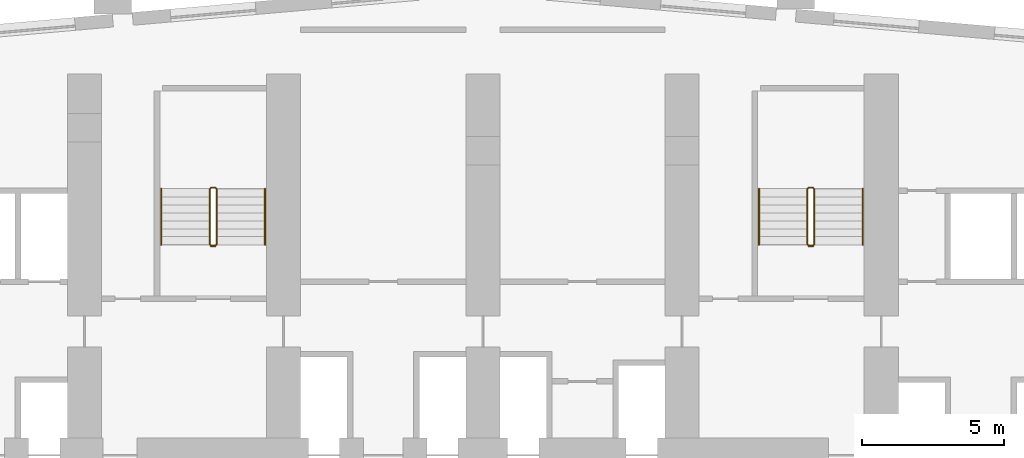
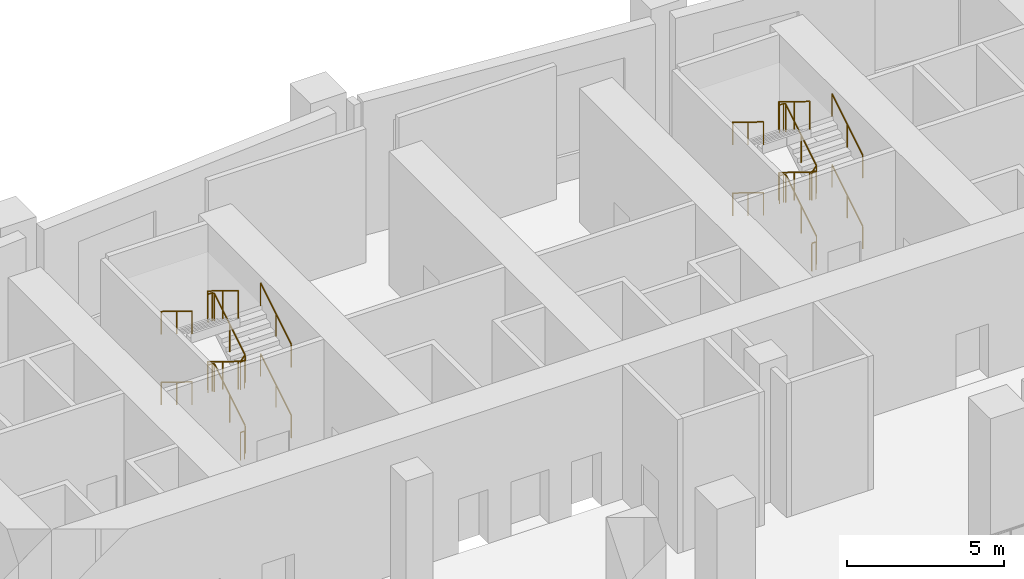
# One storey, part 24 of 25: 12 railings.
"""IFC4 building model written with IfcOpenShell, lengths in metres."""

from ifc_helpers import new_model, si_unit, direction, frame, origin, origin_2d, place, context, subcontext, project, spatial, circle, extrude, material, type_object, element, save


model = new_model("IFC4")

# Units and contexts
model_context = context("Model", 3, precision=1e-05, world=origin(), true_north=direction((0.0, 1.0)))
body_context = subcontext(model_context, "Body", "Model", "MODEL_VIEW")
ifc_project = project(units=[si_unit("LENGTHUNIT", "METRE"), si_unit("AREAUNIT", "SQUARE_METRE"), si_unit("VOLUMEUNIT", "CUBIC_METRE"), si_unit("PLANEANGLEUNIT", "RADIAN"), si_unit("MASSUNIT", "GRAM", prefix="KILO")], contexts=[model_context])

# Site, building, storey
site_placement = place(None, origin())
site = spatial("IfcSite", under=ifc_project, at=site_placement, CompositionType="ELEMENT")
building_placement = place(site_placement, origin())
building = spatial("IfcBuilding", under=site, at=building_placement, Name="Wharfspan Tower", CompositionType="ELEMENT")
storey_placement = place(building_placement, frame((0.0, 0.0, 27.5)))
storey = spatial("IfcBuildingStorey", under=building, at=storey_placement, Name="L04", CompositionType="ELEMENT", Elevation=27.5)

# Railings
ifc_material = material(Name="Steel S355J2", Category="steel")
railing_type_1 = type_object("IfcRailingType", Name="Stair guard 1100", PredefinedType="GUARDRAIL", material=ifc_material)
railing_1_placement = place(storey_placement, frame((27.649902, 42.0, 0.171875)))
element("IfcRailing", 1, at=railing_1_placement, inside=storey, type_object=railing_type_1, Name="L04 ST1 stair guard 1", PredefinedType="GUARDRAIL", context=body_context, shape_type="SweptSolid", body=[
    extrude(circle(Radius=0.023926, at=origin_2d()), frame((0.0, 0.0, 1.076172), z_axis=(0.0, 0.852241, 0.523149), x_axis=(-1.0, 0.0, 0.0)), (0.0, 0.0, 1.0), 2.299805),
    extrude(circle(Radius=0.023926, at=origin_2d()), frame((0.0, 1.959961, 2.279297), z_axis=(-0.705376, 0.708834, 0.0), x_axis=(-0.708834, -0.705376, 0.0)), (0.0, 0.0, 1.0), 0.070557),
    extrude(circle(Radius=0.023926, at=origin_2d()), frame((-0.049805, 2.01001, 2.279297), z_axis=(-1.0, 0.0, 0.0), x_axis=(0.0, -1.0, 0.0)), (0.0, 0.0, 1.0), 0.150146),
    extrude(circle(Radius=0.023926, at=origin_2d()), frame((-0.199951, 2.01001, 2.279297), z_axis=(-0.269256, -0.269256, 0.924664), x_axis=(0.707107, -0.707107, 0.0)), (0.0, 0.0, 1.0), 0.185791),
    extrude(circle(Radius=0.023926, at=origin_2d()), frame((-0.25, 1.959961, 2.451172), z_axis=(0.0, -0.852241, 0.523149), x_axis=(1.0, 0.0, 0.0)), (0.0, 0.0, 1.0), 2.299805),
    extrude(circle(Radius=0.023926, at=origin_2d()), frame((-0.25, 0.0, 3.654297), z_axis=(0.970143, -0.242536, 0.0), x_axis=(0.242536, 0.970143, 0.0)), (0.0, 0.0, 1.0), 0.206299),
    extrude(circle(Radius=0.023926, at=origin_2d()), frame((-0.049805, -0.050049, 3.654297), z_axis=(-1.0, 0.0, 0.0), x_axis=(0.0, -1.0, 0.0)), (0.0, 0.0, 1.0), 0.150146),
    extrude(circle(Radius=0.023926, at=origin_2d()), frame((-0.199951, -0.050049, 3.654297), z_axis=(0.745038, 0.186487, 0.640423), x_axis=(-0.242813, 0.970074, -2e-06)), (0.0, 0.0, 1.0), 0.268311),
    extrude(circle(Radius=0.023926, at=origin_2d()), frame((0.0, 0.0, 3.826172), z_axis=(0.0, 0.852241, 0.523149), x_axis=(-1.0, 0.0, 0.0)), (0.0, 0.0, 1.0), 2.299805),
    extrude(circle(Radius=0.023926, at=origin_2d()), frame((0.0, 1.959961, 5.029297), z_axis=(-0.705376, 0.708834, 0.0), x_axis=(-0.708834, -0.705376, 0.0)), (0.0, 0.0, 1.0), 0.070557),
    extrude(circle(Radius=0.023926, at=origin_2d()), frame((-0.049805, 2.01001, 5.029297), z_axis=(-1.0, 0.0, 0.0), x_axis=(0.0, -1.0, 0.0)), (0.0, 0.0, 1.0), 0.150146),
    extrude(circle(Radius=0.023926, at=origin_2d()), frame((-0.199951, 2.01001, 5.029297), z_axis=(-0.269256, -0.269256, 0.924664), x_axis=(0.707107, -0.707107, 0.0)), (0.0, 0.0, 1.0), 0.185791),
    extrude(circle(Radius=0.023926, at=origin_2d()), frame((-0.25, 1.959961, 5.201172), z_axis=(0.0, -0.852241, 0.523149), x_axis=(1.0, 0.0, 0.0)), (0.0, 0.0, 1.0), 2.299805),
    extrude(circle(Radius=0.020996, at=origin_2d()), origin(), (0.0, 0.0, 1.0), 1.052002),
    extrude(circle(Radius=0.020996, at=origin_2d()), frame((0.0, 0.97998, 0.601562)), (0.0, 0.0, 1.0), 1.052002),
    extrude(circle(Radius=0.020996, at=origin_2d()), frame((0.0, 1.959961, 1.203125)), (0.0, 0.0, 1.0), 1.052002),
    extrude(circle(Radius=0.020996, at=origin_2d()), frame((-0.049805, 2.01001, 1.203125)), (0.0, 0.0, 1.0), 1.052002),
    extrude(circle(Radius=0.020996, at=origin_2d()), frame((-0.199951, 2.01001, 1.203125)), (0.0, 0.0, 1.0), 1.052002),
    extrude(circle(Radius=0.020996, at=origin_2d()), frame((-0.25, 1.959961, 1.375)), (0.0, 0.0, 1.0), 1.052002),
    extrude(circle(Radius=0.020996, at=origin_2d()), frame((-0.25, 0.97998, 1.976562)), (0.0, 0.0, 1.0), 1.052002),
    extrude(circle(Radius=0.020996, at=origin_2d()), frame((-0.25, 0.0, 2.578125)), (0.0, 0.0, 1.0), 1.052002),
    extrude(circle(Radius=0.020996, at=origin_2d()), frame((-0.049805, -0.050049, 2.578125)), (0.0, 0.0, 1.0), 1.052002),
    extrude(circle(Radius=0.020996, at=origin_2d()), frame((-0.199951, -0.050049, 2.578125)), (0.0, 0.0, 1.0), 1.052002),
    extrude(circle(Radius=0.020996, at=origin_2d()), frame((0.0, 0.0, 2.75)), (0.0, 0.0, 1.0), 1.052002),
    extrude(circle(Radius=0.020996, at=origin_2d()), frame((0.0, 0.97998, 3.351562)), (0.0, 0.0, 1.0), 1.052002),
    extrude(circle(Radius=0.020996, at=origin_2d()), frame((0.0, 1.959961, 3.953125)), (0.0, 0.0, 1.0), 1.052002),
    extrude(circle(Radius=0.020996, at=origin_2d()), frame((-0.049805, 2.01001, 3.953125)), (0.0, 0.0, 1.0), 1.052002),
    extrude(circle(Radius=0.020996, at=origin_2d()), frame((-0.199951, 2.01001, 3.953125)), (0.0, 0.0, 1.0), 1.052002),
    extrude(circle(Radius=0.020996, at=origin_2d()), frame((-0.25, 1.959961, 4.125)), (0.0, 0.0, 1.0), 1.052002),
    extrude(circle(Radius=0.020996, at=origin_2d()), frame((-0.25, 0.97998, 4.726562)), (0.0, 0.0, 1.0), 1.052002),
    extrude(circle(Radius=0.020996, at=origin_2d()), frame((-0.25, 0.0, 5.328125)), (0.0, 0.0, 1.0), 1.052002),
])
railing_2_placement = place(storey_placement, frame((27.600098, 41.949951, 0.0)))
element("IfcRailing", 2, at=railing_2_placement, inside=storey, type_object=railing_type_1, Name="L04 ST1 stair guard 2", PredefinedType="GUARDRAIL", context=body_context, shape_type="SweptSolid", body=[
    extrude(circle(Radius=0.023926, at=origin_2d()), frame((0.0, 0.0, 1.076172), z_axis=(-1.0, 0.0, 0.0), x_axis=(0.0, -1.0, 0.0)), (0.0, 0.0, 1.0), 0.150146),
    extrude(circle(Radius=0.020996, at=origin_2d()), origin(), (0.0, 0.0, 1.0), 1.052002),
    extrude(circle(Radius=0.020996, at=origin_2d()), frame((-0.150146, 0.0, 0.0)), (0.0, 0.0, 1.0), 1.052002),
])
railing_3_placement = place(storey_placement, frame((48.649902, 42.0, 0.171875)))
element("IfcRailing", 3, at=railing_3_placement, inside=storey, type_object=railing_type_1, Name="L04 ST2 stair guard 1", PredefinedType="GUARDRAIL", context=body_context, shape_type="SweptSolid", body=[
    extrude(circle(Radius=0.023926, at=origin_2d()), frame((0.0, 0.0, 1.076172), z_axis=(0.0, 0.852241, 0.523149), x_axis=(-1.0, 0.0, 0.0)), (0.0, 0.0, 1.0), 2.299805),
    extrude(circle(Radius=0.023926, at=origin_2d()), frame((0.0, 1.959961, 2.279297), z_axis=(-0.705376, 0.708834, 0.0), x_axis=(-0.708834, -0.705376, 0.0)), (0.0, 0.0, 1.0), 0.070557),
    extrude(circle(Radius=0.023926, at=origin_2d()), frame((-0.049805, 2.01001, 2.279297), z_axis=(-1.0, 0.0, 0.0), x_axis=(0.0, -1.0, 0.0)), (0.0, 0.0, 1.0), 0.150146),
    extrude(circle(Radius=0.023926, at=origin_2d()), frame((-0.199951, 2.01001, 2.279297), z_axis=(-0.269256, -0.269256, 0.924664), x_axis=(0.707107, -0.707107, 0.0)), (0.0, 0.0, 1.0), 0.185791),
    extrude(circle(Radius=0.023926, at=origin_2d()), frame((-0.25, 1.959961, 2.451172), z_axis=(0.0, -0.852241, 0.523149), x_axis=(1.0, 0.0, 0.0)), (0.0, 0.0, 1.0), 2.299805),
    extrude(circle(Radius=0.023926, at=origin_2d()), frame((-0.25, 0.0, 3.654297), z_axis=(0.970143, -0.242536, 0.0), x_axis=(0.242536, 0.970143, 0.0)), (0.0, 0.0, 1.0), 0.206299),
    extrude(circle(Radius=0.023926, at=origin_2d()), frame((-0.049805, -0.050049, 3.654297), z_axis=(-1.0, 0.0, 0.0), x_axis=(0.0, -1.0, 0.0)), (0.0, 0.0, 1.0), 0.150146),
    extrude(circle(Radius=0.023926, at=origin_2d()), frame((-0.199951, -0.050049, 3.654297), z_axis=(0.745038, 0.186487, 0.640423), x_axis=(-0.242813, 0.970074, -2e-06)), (0.0, 0.0, 1.0), 0.268311),
    extrude(circle(Radius=0.023926, at=origin_2d()), frame((0.0, 0.0, 3.826172), z_axis=(0.0, 0.852241, 0.523149), x_axis=(-1.0, 0.0, 0.0)), (0.0, 0.0, 1.0), 2.299805),
    extrude(circle(Radius=0.023926, at=origin_2d()), frame((0.0, 1.959961, 5.029297), z_axis=(-0.705376, 0.708834, 0.0), x_axis=(-0.708834, -0.705376, 0.0)), (0.0, 0.0, 1.0), 0.070557),
    extrude(circle(Radius=0.023926, at=origin_2d()), frame((-0.049805, 2.01001, 5.029297), z_axis=(-1.0, 0.0, 0.0), x_axis=(0.0, -1.0, 0.0)), (0.0, 0.0, 1.0), 0.150146),
    extrude(circle(Radius=0.023926, at=origin_2d()), frame((-0.199951, 2.01001, 5.029297), z_axis=(-0.269256, -0.269256, 0.924664), x_axis=(0.707107, -0.707107, 0.0)), (0.0, 0.0, 1.0), 0.185791),
    extrude(circle(Radius=0.023926, at=origin_2d()), frame((-0.25, 1.959961, 5.201172), z_axis=(0.0, -0.852241, 0.523149), x_axis=(1.0, 0.0, 0.0)), (0.0, 0.0, 1.0), 2.299805),
    extrude(circle(Radius=0.020996, at=origin_2d()), origin(), (0.0, 0.0, 1.0), 1.052002),
    extrude(circle(Radius=0.020996, at=origin_2d()), frame((0.0, 0.97998, 0.601562)), (0.0, 0.0, 1.0), 1.052002),
    extrude(circle(Radius=0.020996, at=origin_2d()), frame((0.0, 1.959961, 1.203125)), (0.0, 0.0, 1.0), 1.052002),
    extrude(circle(Radius=0.020996, at=origin_2d()), frame((-0.049805, 2.01001, 1.203125)), (0.0, 0.0, 1.0), 1.052002),
    extrude(circle(Radius=0.020996, at=origin_2d()), frame((-0.199951, 2.01001, 1.203125)), (0.0, 0.0, 1.0), 1.052002),
    extrude(circle(Radius=0.020996, at=origin_2d()), frame((-0.25, 1.959961, 1.375)), (0.0, 0.0, 1.0), 1.052002),
    extrude(circle(Radius=0.020996, at=origin_2d()), frame((-0.25, 0.97998, 1.976562)), (0.0, 0.0, 1.0), 1.052002),
    extrude(circle(Radius=0.020996, at=origin_2d()), frame((-0.25, 0.0, 2.578125)), (0.0, 0.0, 1.0), 1.052002),
    extrude(circle(Radius=0.020996, at=origin_2d()), frame((-0.049805, -0.050049, 2.578125)), (0.0, 0.0, 1.0), 1.052002),
    extrude(circle(Radius=0.020996, at=origin_2d()), frame((-0.199951, -0.050049, 2.578125)), (0.0, 0.0, 1.0), 1.052002),
    extrude(circle(Radius=0.020996, at=origin_2d()), frame((0.0, 0.0, 2.75)), (0.0, 0.0, 1.0), 1.052002),
    extrude(circle(Radius=0.020996, at=origin_2d()), frame((0.0, 0.97998, 3.351562)), (0.0, 0.0, 1.0), 1.052002),
    extrude(circle(Radius=0.020996, at=origin_2d()), frame((0.0, 1.959961, 3.953125)), (0.0, 0.0, 1.0), 1.052002),
    extrude(circle(Radius=0.020996, at=origin_2d()), frame((-0.049805, 2.01001, 3.953125)), (0.0, 0.0, 1.0), 1.052002),
    extrude(circle(Radius=0.020996, at=origin_2d()), frame((-0.199951, 2.01001, 3.953125)), (0.0, 0.0, 1.0), 1.052002),
    extrude(circle(Radius=0.020996, at=origin_2d()), frame((-0.25, 1.959961, 4.125)), (0.0, 0.0, 1.0), 1.052002),
    extrude(circle(Radius=0.020996, at=origin_2d()), frame((-0.25, 0.97998, 4.726562)), (0.0, 0.0, 1.0), 1.052002),
    extrude(circle(Radius=0.020996, at=origin_2d()), frame((-0.25, 0.0, 5.328125)), (0.0, 0.0, 1.0), 1.052002),
])
railing_4_placement = place(storey_placement, frame((48.600098, 41.949951, 0.0)))
element("IfcRailing", 4, at=railing_4_placement, inside=storey, type_object=railing_type_1, Name="L04 ST2 stair guard 2", PredefinedType="GUARDRAIL", context=body_context, shape_type="SweptSolid", body=[
    extrude(circle(Radius=0.023926, at=origin_2d()), frame((0.0, 0.0, 1.076172), z_axis=(-1.0, 0.0, 0.0), x_axis=(0.0, -1.0, 0.0)), (0.0, 0.0, 1.0), 0.150146),
    extrude(circle(Radius=0.020996, at=origin_2d()), origin(), (0.0, 0.0, 1.0), 1.052002),
    extrude(circle(Radius=0.020996, at=origin_2d()), frame((-0.150146, 0.0, 0.0)), (0.0, 0.0, 1.0), 1.052002),
])
railing_type_2 = type_object("IfcRailingType", Name="Stair handrail 900", PredefinedType="HANDRAIL", material=ifc_material)
railing_5_placement = place(storey_placement, frame((29.350098, 42.0, 0.171875)))
element("IfcRailing", 5, at=railing_5_placement, inside=storey, type_object=railing_type_2, Name="L04 ST1 stair handrail 1", PredefinedType="HANDRAIL", context=body_context, shape_type="SweptSolid", body=[
    extrude(circle(Radius=0.023926, at=origin_2d()), frame((0.0, 0.0, 0.875977), z_axis=(0.0, 0.852241, 0.523149), x_axis=(-1.0, 0.0, 0.0)), (0.0, 0.0, 1.0), 2.299805),
    extrude(circle(Radius=0.020996, at=origin_2d()), origin(), (0.0, 0.0, 1.0), 0.851807),
    extrude(circle(Radius=0.020996, at=origin_2d()), frame((0.0, 0.97998, 0.601562)), (0.0, 0.0, 1.0), 0.851807),
    extrude(circle(Radius=0.020996, at=origin_2d()), frame((0.0, 1.959961, 1.203125)), (0.0, 0.0, 1.0), 0.851807),
])
railing_6_placement = place(storey_placement, frame((25.699951, 43.959961, 1.546875)))
element("IfcRailing", 6, at=railing_6_placement, inside=storey, type_object=railing_type_2, Name="L04 ST1 stair handrail 2", PredefinedType="HANDRAIL", context=body_context, shape_type="SweptSolid", body=[
    extrude(circle(Radius=0.023926, at=origin_2d()), frame((0.0, 0.0, 0.875977), z_axis=(0.0, -0.852241, 0.523149), x_axis=(1.0, 0.0, 0.0)), (0.0, 0.0, 1.0), 2.299805),
    extrude(circle(Radius=0.020996, at=origin_2d()), origin(), (0.0, 0.0, 1.0), 0.851807),
    extrude(circle(Radius=0.020996, at=origin_2d()), frame((0.0, -0.97998, 0.601562)), (0.0, 0.0, 1.0), 0.851807),
    extrude(circle(Radius=0.020996, at=origin_2d()), frame((0.0, -1.959961, 1.203125)), (0.0, 0.0, 1.0), 0.851807),
])
railing_7_placement = place(storey_placement, frame((29.350098, 42.0, 2.921875)))
element("IfcRailing", 7, at=railing_7_placement, inside=storey, type_object=railing_type_2, Name="L04 ST1 stair handrail 3", PredefinedType="HANDRAIL", context=body_context, shape_type="SweptSolid", body=[
    extrude(circle(Radius=0.023926, at=origin_2d()), frame((0.0, 0.0, 0.875977), z_axis=(0.0, 0.852241, 0.523149), x_axis=(-1.0, 0.0, 0.0)), (0.0, 0.0, 1.0), 2.299805),
    extrude(circle(Radius=0.020996, at=origin_2d()), origin(), (0.0, 0.0, 1.0), 0.851807),
    extrude(circle(Radius=0.020996, at=origin_2d()), frame((0.0, 0.97998, 0.601562)), (0.0, 0.0, 1.0), 0.851807),
    extrude(circle(Radius=0.020996, at=origin_2d()), frame((0.0, 1.959961, 1.203125)), (0.0, 0.0, 1.0), 0.851807),
])
railing_8_placement = place(storey_placement, frame((25.699951, 43.959961, 4.296875)))
element("IfcRailing", 8, at=railing_8_placement, inside=storey, type_object=railing_type_2, Name="L04 ST1 stair handrail 4", PredefinedType="HANDRAIL", context=body_context, shape_type="SweptSolid", body=[
    extrude(circle(Radius=0.023926, at=origin_2d()), frame((0.0, 0.0, 0.875977), z_axis=(0.0, -0.852241, 0.523149), x_axis=(1.0, 0.0, 0.0)), (0.0, 0.0, 1.0), 2.299805),
    extrude(circle(Radius=0.020996, at=origin_2d()), origin(), (0.0, 0.0, 1.0), 0.851807),
    extrude(circle(Radius=0.020996, at=origin_2d()), frame((0.0, -0.97998, 0.601562)), (0.0, 0.0, 1.0), 0.851807),
    extrude(circle(Radius=0.020996, at=origin_2d()), frame((0.0, -1.959961, 1.203125)), (0.0, 0.0, 1.0), 0.851807),
])
railing_9_placement = place(storey_placement, frame((50.350098, 42.0, 0.171875)))
element("IfcRailing", 9, at=railing_9_placement, inside=storey, type_object=railing_type_2, Name="L04 ST2 stair handrail 1", PredefinedType="HANDRAIL", context=body_context, shape_type="SweptSolid", body=[
    extrude(circle(Radius=0.023926, at=origin_2d()), frame((0.0, 0.0, 0.875977), z_axis=(0.0, 0.852241, 0.523149), x_axis=(-1.0, 0.0, 0.0)), (0.0, 0.0, 1.0), 2.299805),
    extrude(circle(Radius=0.020996, at=origin_2d()), origin(), (0.0, 0.0, 1.0), 0.851807),
    extrude(circle(Radius=0.020996, at=origin_2d()), frame((0.0, 0.97998, 0.601562)), (0.0, 0.0, 1.0), 0.851807),
    extrude(circle(Radius=0.020996, at=origin_2d()), frame((0.0, 1.959961, 1.203125)), (0.0, 0.0, 1.0), 0.851807),
])
railing_10_placement = place(storey_placement, frame((46.699951, 43.959961, 1.546875)))
element("IfcRailing", 10, at=railing_10_placement, inside=storey, type_object=railing_type_2, Name="L04 ST2 stair handrail 2", PredefinedType="HANDRAIL", context=body_context, shape_type="SweptSolid", body=[
    extrude(circle(Radius=0.023926, at=origin_2d()), frame((0.0, 0.0, 0.875977), z_axis=(0.0, -0.852241, 0.523149), x_axis=(1.0, 0.0, 0.0)), (0.0, 0.0, 1.0), 2.299805),
    extrude(circle(Radius=0.020996, at=origin_2d()), origin(), (0.0, 0.0, 1.0), 0.851807),
    extrude(circle(Radius=0.020996, at=origin_2d()), frame((0.0, -0.97998, 0.601562)), (0.0, 0.0, 1.0), 0.851807),
    extrude(circle(Radius=0.020996, at=origin_2d()), frame((0.0, -1.959961, 1.203125)), (0.0, 0.0, 1.0), 0.851807),
])
railing_11_placement = place(storey_placement, frame((50.350098, 42.0, 2.921875)))
element("IfcRailing", 11, at=railing_11_placement, inside=storey, type_object=railing_type_2, Name="L04 ST2 stair handrail 3", PredefinedType="HANDRAIL", context=body_context, shape_type="SweptSolid", body=[
    extrude(circle(Radius=0.023926, at=origin_2d()), frame((0.0, 0.0, 0.875977), z_axis=(0.0, 0.852241, 0.523149), x_axis=(-1.0, 0.0, 0.0)), (0.0, 0.0, 1.0), 2.299805),
    extrude(circle(Radius=0.020996, at=origin_2d()), origin(), (0.0, 0.0, 1.0), 0.851807),
    extrude(circle(Radius=0.020996, at=origin_2d()), frame((0.0, 0.97998, 0.601562)), (0.0, 0.0, 1.0), 0.851807),
    extrude(circle(Radius=0.020996, at=origin_2d()), frame((0.0, 1.959961, 1.203125)), (0.0, 0.0, 1.0), 0.851807),
])
railing_12_placement = place(storey_placement, frame((46.699951, 43.959961, 4.296875)))
element("IfcRailing", 12, at=railing_12_placement, inside=storey, type_object=railing_type_2, Name="L04 ST2 stair handrail 4", PredefinedType="HANDRAIL", context=body_context, shape_type="SweptSolid", body=[
    extrude(circle(Radius=0.023926, at=origin_2d()), frame((0.0, 0.0, 0.875977), z_axis=(0.0, -0.852241, 0.523149), x_axis=(1.0, 0.0, 0.0)), (0.0, 0.0, 1.0), 2.299805),
    extrude(circle(Radius=0.020996, at=origin_2d()), origin(), (0.0, 0.0, 1.0), 0.851807),
    extrude(circle(Radius=0.020996, at=origin_2d()), frame((0.0, -0.97998, 0.601562)), (0.0, 0.0, 1.0), 0.851807),
    extrude(circle(Radius=0.020996, at=origin_2d()), frame((0.0, -1.959961, 1.203125)), (0.0, 0.0, 1.0), 0.851807),
])

save(model, "model.ifc")
